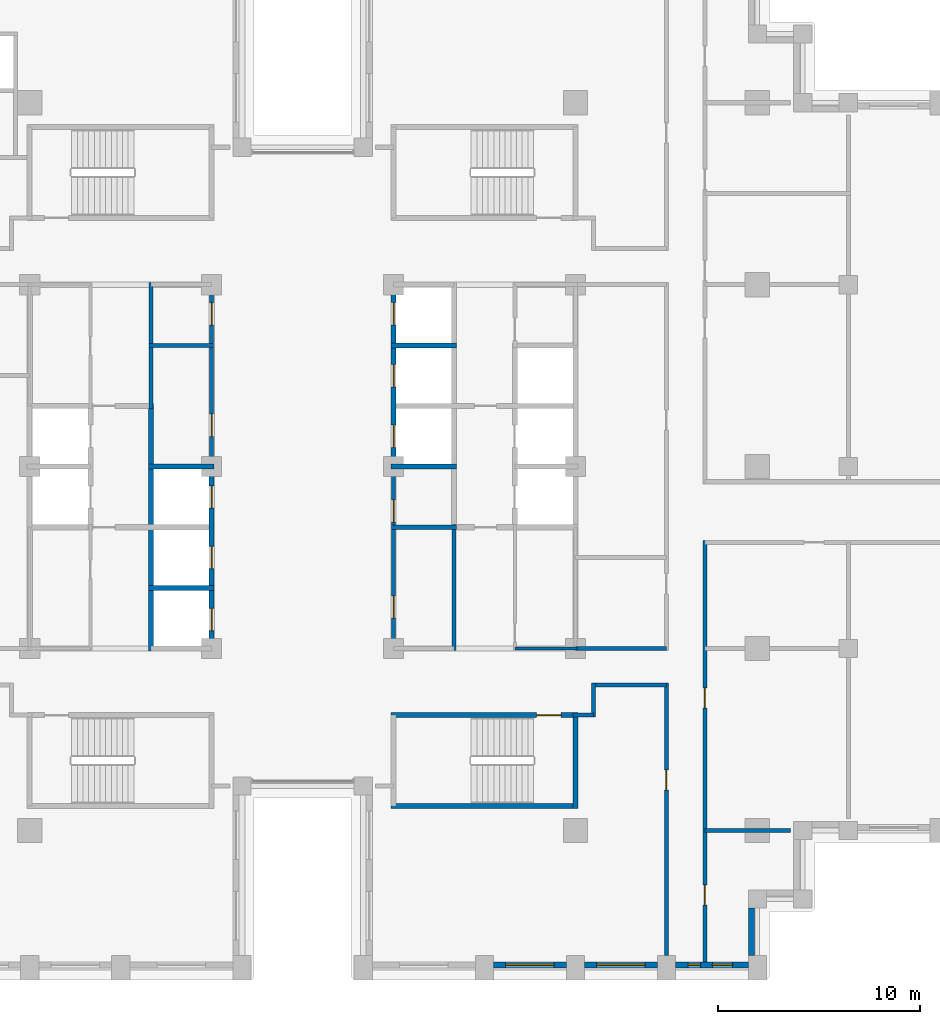
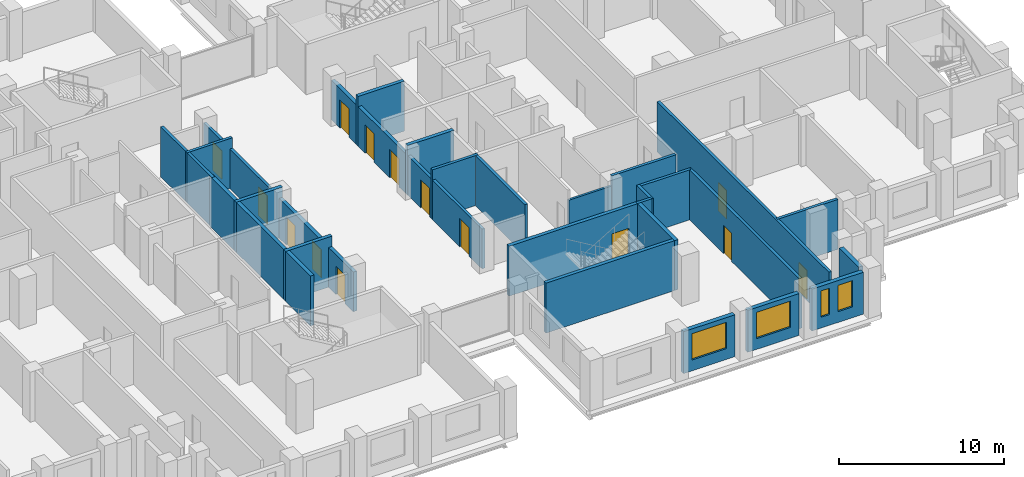
# One storey, part 8 of 15: 28 walls, 14 doors, 4 windows, 18 openings.
"""IFC4 building model written with IfcOpenShell, lengths in metres."""

from ifc_helpers import new_model, si_unit, direction, frame, frame_2d, origin, place, context, subcontext, project, spatial, rectangle, extrude, material, layer, layer_set, type_object, element, fill, save


model = new_model("IFC4")

# Units and contexts
model_context = context("Model", 3, precision=1e-05, world=origin(), true_north=direction((0.0, 1.0)))
body_context = subcontext(model_context, "Body", "Model", "MODEL_VIEW")
ifc_project = project(units=[si_unit("LENGTHUNIT", "METRE"), si_unit("AREAUNIT", "SQUARE_METRE"), si_unit("VOLUMEUNIT", "CUBIC_METRE"), si_unit("PLANEANGLEUNIT", "RADIAN"), si_unit("MASSUNIT", "GRAM", prefix="KILO")], contexts=[model_context])

# Site, building, storey
site_placement = place(None, origin())
site = spatial("IfcSite", under=ifc_project, at=site_placement, CompositionType="ELEMENT")
building_placement = place(site_placement, origin())
building = spatial("IfcBuilding", under=site, at=building_placement, Name="Corbelhall Arena Tower", CompositionType="ELEMENT")
storey_placement = place(building_placement, frame((0.0, 0.0, 92.0)))
storey = spatial("IfcBuildingStorey", under=building, at=storey_placement, Name="L15", CompositionType="ELEMENT", Elevation=92.0)

# Wall, opening, window
ifc_material_1 = material(Name="Precast concrete C40/50 with granite facing", Category="masonry")
ifc_layer_1 = layer(ifc_material_1, 0.300048828125)
ifc_layer_set_1 = layer_set([ifc_layer_1], Name="EV-IW1 Infill panel 300")
wall_type_1 = type_object("IfcWallType", Name="EV-IW1 Infill panel 300", PredefinedType="SOLIDWALL", material=ifc_layer_set_1)
wall_1_placement = place(storey_placement, frame((9.449951171875, -24.64990234375, 0.0), z_axis=(0.0, 0.0, 1.0), x_axis=(1.0, 0.0, 0.0)))
wall_1 = element("IfcWall", 1, at=wall_1_placement, inside=storey, type_object=wall_type_1, Name="Infill panel IW1", PredefinedType="SOLIDWALL", context=body_context, shape_type="SweptSolid", body=[
    extrude(rectangle(XDim=3.60009765625, YDim=0.300048828125, at=frame_2d((1.800048828125, 0.0))), origin(), (0.0, 0.0, 1.0), 3.10009765625),
])
opening_1_placement = place(wall_1_placement, frame((0.60009765625, 0.0, 0.800048828125)))
opening_1 = element("IfcOpeningElement", 2, at=opening_1_placement, cuts=wall_1, Name="Opening WN1", PredefinedType="OPENING", context=body_context, shape_type="SweptSolid", body=[
    extrude(rectangle(XDim=2.39990234375, YDim=1.949951171875, at=frame_2d((1.199951171875, 0.97509765625))), frame((0.0, 0.14990234375, 0.0), z_axis=(0.0, -1.0, 0.0), x_axis=(1.0, 0.0, 0.0)), (0.0, 0.0, 1.0), 0.300048828125),
])
ifc_material_2 = material(Name="Aluminium black anodised", Category="aluminium")
window_type_1 = type_object("IfcWindowType", Name="EV-WN1 Office window", PartitioningType="SINGLE_PANEL", PredefinedType="WINDOW", material=ifc_material_2)
window_1_placement = place(opening_1_placement, origin())
window_1 = element("IfcWindow", 3, at=window_1_placement, inside=storey, type_object=window_type_1, Name="Window WN1", OverallHeight=1.949951171875, OverallWidth=2.39990234375, PartitioningType="SINGLE_PANEL", PredefinedType="WINDOW", context=body_context, shape_type="SweptSolid", body=[
    extrude(rectangle(XDim=2.39990234375, YDim=1.949951171875, at=frame_2d((1.199951171875, 0.97509765625))), frame((0.0, 0.030029296875, 0.0), z_axis=(0.0, -1.0, 0.0), x_axis=(1.0, 0.0, 0.0)), (0.0, 0.0, 1.0), 0.06005859375),
])
fill(opening_1, window_1)

wall_2_placement = place(storey_placement, frame((13.949951171875, -24.64990234375, 0.0), z_axis=(0.0, 0.0, 1.0), x_axis=(1.0, 0.0, 0.0)))
wall_2 = element("IfcWall", 4, at=wall_2_placement, inside=storey, type_object=wall_type_1, Name="Infill panel IW1", PredefinedType="SOLIDWALL", context=body_context, shape_type="SweptSolid", body=[
    extrude(rectangle(XDim=3.60009765625, YDim=0.300048828125, at=frame_2d((1.800048828125, 0.0))), origin(), (0.0, 0.0, 1.0), 3.10009765625),
])
opening_2_placement = place(wall_2_placement, frame((0.60009765625, 0.0, 0.800048828125)))
opening_2 = element("IfcOpeningElement", 5, at=opening_2_placement, cuts=wall_2, Name="Opening WN1", PredefinedType="OPENING", context=body_context, shape_type="SweptSolid", body=[
    extrude(rectangle(XDim=2.39990234375, YDim=1.949951171875, at=frame_2d((1.199951171875, 0.97509765625))), frame((0.0, 0.14990234375, 0.0), z_axis=(0.0, -1.0, 0.0), x_axis=(1.0, 0.0, 0.0)), (0.0, 0.0, 1.0), 0.300048828125),
])
window_2_placement = place(opening_2_placement, origin())
window_2 = element("IfcWindow", 6, at=window_2_placement, inside=storey, type_object=window_type_1, Name="Window WN1", OverallHeight=1.949951171875, OverallWidth=2.39990234375, PartitioningType="SINGLE_PANEL", PredefinedType="WINDOW", context=body_context, shape_type="SweptSolid", body=[
    extrude(rectangle(XDim=2.39990234375, YDim=1.949951171875, at=frame_2d((1.199951171875, 0.97509765625))), frame((0.0, 0.030029296875, 0.0), z_axis=(0.0, -1.0, 0.0), x_axis=(1.0, 0.0, 0.0)), (0.0, 0.0, 1.0), 0.06005859375),
])
fill(opening_2, window_2)

# Wall, openings, windows
wall_3_placement = place(storey_placement, frame((18.449951171875, -24.64990234375, 0.0), z_axis=(0.0, 0.0, 1.0), x_axis=(1.0, 0.0, 0.0)))
wall_3 = element("IfcWall", 7, at=wall_3_placement, inside=storey, type_object=wall_type_1, Name="Infill panel IW1", PredefinedType="SOLIDWALL", context=body_context, shape_type="SweptSolid", body=[
    extrude(rectangle(XDim=3.60009765625, YDim=0.300048828125, at=frame_2d((1.800048828125, 0.0))), origin(), (0.0, 0.0, 1.0), 3.10009765625),
])
opening_3_placement = place(wall_3_placement, frame((0.625, 0.0, 0.800048828125)))
opening_3 = element("IfcOpeningElement", 8, at=opening_3_placement, cuts=wall_3, Name="Opening WN5", PredefinedType="OPENING", context=body_context, shape_type="SweptSolid", body=[
    extrude(rectangle(XDim=0.60009765625, YDim=1.949951171875, at=frame_2d((0.300048828125, 0.97509765625))), frame((0.0, 0.14990234375, 0.0), z_axis=(0.0, -1.0, 0.0), x_axis=(1.0, 0.0, 0.0)), (0.0, 0.0, 1.0), 0.300048828125),
])
opening_4_placement = place(wall_3_placement, frame((1.824951171875, 0.0, 0.800048828125)))
opening_4 = element("IfcOpeningElement", 9, at=opening_4_placement, cuts=wall_3, Name="Opening WN6", PredefinedType="OPENING", context=body_context, shape_type="SweptSolid", body=[
    extrude(rectangle(XDim=1.0, YDim=1.949951171875, at=frame_2d((0.5, 0.97509765625))), frame((0.0, 0.14990234375, 0.0), z_axis=(0.0, -1.0, 0.0), x_axis=(1.0, 0.0, 0.0)), (0.0, 0.0, 1.0), 0.300048828125),
])
window_type_2 = type_object("IfcWindowType", Name="EV-WN5 Office window 600", PartitioningType="SINGLE_PANEL", PredefinedType="WINDOW", material=ifc_material_2)
window_3_placement = place(opening_3_placement, origin())
window_3 = element("IfcWindow", 10, at=window_3_placement, inside=storey, type_object=window_type_2, Name="Window WN5", OverallHeight=1.949951171875, OverallWidth=0.60009765625, PartitioningType="SINGLE_PANEL", PredefinedType="WINDOW", context=body_context, shape_type="SweptSolid", body=[
    extrude(rectangle(XDim=0.60009765625, YDim=1.949951171875, at=frame_2d((0.300048828125, 0.97509765625))), frame((0.0, 0.030029296875, 0.0), z_axis=(0.0, -1.0, 0.0), x_axis=(1.0, 0.0, 0.0)), (0.0, 0.0, 1.0), 0.06005859375),
])
fill(opening_3, window_3)
window_type_3 = type_object("IfcWindowType", Name="EV-WN6 Office window 1000", PartitioningType="SINGLE_PANEL", PredefinedType="WINDOW", material=ifc_material_2)
window_4_placement = place(opening_4_placement, origin())
window_4 = element("IfcWindow", 11, at=window_4_placement, inside=storey, type_object=window_type_3, Name="Window WN6", OverallHeight=1.949951171875, OverallWidth=1.0, PartitioningType="SINGLE_PANEL", PredefinedType="WINDOW", context=body_context, shape_type="SweptSolid", body=[
    extrude(rectangle(XDim=1.0, YDim=1.949951171875, at=frame_2d((0.5, 0.97509765625))), frame((0.0, 0.030029296875, 0.0), z_axis=(0.0, -1.0, 0.0), x_axis=(1.0, 0.0, 0.0)), (0.0, 0.0, 1.0), 0.06005859375),
])
fill(opening_4, window_4)

# Walls
wall_4_placement = place(storey_placement, frame((22.199951171875, -24.199951171875, 0.0), z_axis=(0.0, 0.0, 1.0), x_axis=(0.0, 1.0, 0.0)))
element("IfcWall", 12, at=wall_4_placement, inside=storey, type_object=wall_type_1, Name="Infill panel IW1", PredefinedType="SOLIDWALL", context=body_context, shape_type="SweptSolid", body=[
    extrude(rectangle(XDim=2.349853515625, YDim=0.300048828125, at=frame_2d((1.1748046875, 0.0))), origin(), (0.0, 0.0, 1.0), 3.10009765625),
])
ifc_material_3 = material(Name="Gypsum board on steel stud, acoustic", Category="steel")
ifc_layer_2 = layer(ifc_material_3, 0.199951171875)
ifc_layer_set_2 = layer_set([ifc_layer_2], Name="IN-W-DM200")
wall_type_2 = type_object("IfcWallType", Name="IN-W-DM200", PredefinedType="PARTITIONING", material=ifc_layer_set_2)
wall_5_placement = place(storey_placement, frame((13.5, -9.0, 0.0), z_axis=(0.0, 0.0, 1.0), x_axis=(1.0, 0.0, 0.0)))
element("IfcWall", 13, at=wall_5_placement, inside=storey, type_object=wall_type_2, Name="Partition 037", PredefinedType="PARTITIONING", context=body_context, shape_type="SweptSolid", body=[
    extrude(rectangle(XDim=4.5, YDim=0.199951171875, at=frame_2d((2.25, 0.0))), origin(), (0.0, 0.0, 1.0), 3.699951171875),
])
wall_6_placement = place(storey_placement, frame((14.39990234375, -12.300048828125, 0.0), z_axis=(0.0, 0.0, 1.0), x_axis=(-1.0, 0.0, 0.0)))
element("IfcWall", 14, at=wall_6_placement, inside=storey, type_object=wall_type_2, Name="Partition 039", PredefinedType="PARTITIONING", context=body_context, shape_type="SweptSolid", body=[
    extrude(rectangle(XDim=1.02490234375, YDim=0.199951171875, at=frame_2d((0.512451171875, 0.0))), origin(), (0.0, 0.0, 1.0), 3.699951171875),
])
wall_7_placement = place(storey_placement, frame((14.39990234375, -10.699951171875, 0.0), z_axis=(0.0, 0.0, 1.0), x_axis=(0.0, -1.0, 0.0)))
element("IfcWall", 15, at=wall_7_placement, inside=storey, type_object=wall_type_2, Name="Partition 040", PredefinedType="PARTITIONING", context=body_context, shape_type="SweptSolid", body=[
    extrude(rectangle(XDim=1.699951171875, YDim=0.199951171875, at=frame_2d((0.85009765625, 0.0))), origin(), (0.0, 0.0, 1.0), 3.699951171875),
])

# Wall, opening, door
wall_8_placement = place(storey_placement, frame((18.0, -24.199951171875, 0.0), z_axis=(0.0, 0.0, 1.0), x_axis=(0.0, 1.0, 0.0)))
wall_8 = element("IfcWall", 16, at=wall_8_placement, inside=storey, type_object=wall_type_2, Name="Partition 044", PredefinedType="PARTITIONING", context=body_context, shape_type="SweptSolid", body=[
    extrude(rectangle(XDim=13.5, YDim=0.199951171875, at=frame_2d((6.75, 0.0))), origin(), (0.0, 0.0, 1.0), 3.699951171875),
])
opening_5_placement = place(wall_8_placement, frame((8.199951171875, 0.0, 0.0)))
opening_5 = element("IfcOpeningElement", 17, at=opening_5_placement, cuts=wall_8, Name="Opening 03028", PredefinedType="OPENING", context=body_context, shape_type="SweptSolid", body=[
    extrude(rectangle(XDim=1.0, YDim=2.10009765625, at=frame_2d((0.5, 1.050048828125))), frame((0.0, 0.10009765625, 0.0), z_axis=(0.0, -1.0, 0.0), x_axis=(1.0, 0.0, 0.0)), (0.0, 0.0, 1.0), 0.199951171875),
])
ifc_material_4 = material(Name="Steel door set", Category="steel")
door_type_1 = type_object("IfcDoorType", Name="IN-D-SW100", OperationType="NOTDEFINED", PredefinedType="DOOR", material=ifc_material_4)
door_1_placement = place(opening_5_placement, origin())
door_1 = element("IfcDoor", 18, at=door_1_placement, inside=storey, type_object=door_type_1, Name="Door 028", OperationType="SINGLE_SWING_LEFT", OverallHeight=2.10009765625, OverallWidth=1.0, PredefinedType="DOOR", context=body_context, shape_type="SweptSolid", body=[
    extrude(rectangle(XDim=1.0, YDim=2.10009765625, at=frame_2d((0.5, 1.050048828125))), frame((0.0, 0.02490234375, 0.0), z_axis=(0.0, -1.0, 0.0), x_axis=(1.0, 0.0, 0.0)), (0.0, 0.0, 1.0), 0.050048828125),
])
fill(opening_5, door_1)

# Walls
wall_9_placement = place(storey_placement, frame((18.0, -10.800048828125, 0.0), z_axis=(0.0, 0.0, 1.0), x_axis=(-1.0, 0.0, 0.0)))
element("IfcWall", 19, at=wall_9_placement, inside=storey, type_object=wall_type_2, Name="Partition 045", PredefinedType="PARTITIONING", context=body_context, shape_type="SweptSolid", body=[
    extrude(rectangle(XDim=3.60009765625, YDim=0.199951171875, at=frame_2d((1.800048828125, 0.0))), origin(), (0.0, 0.0, 1.0), 3.699951171875),
])
wall_10_placement = place(storey_placement, frame((19.89990234375, -18.0, 0.0), z_axis=(0.0, 0.0, 1.0), x_axis=(1.0, 0.0, 0.0)))
element("IfcWall", 20, at=wall_10_placement, inside=storey, type_object=wall_type_2, Name="Partition 048", PredefinedType="PARTITIONING", context=body_context, shape_type="SweptSolid", body=[
    extrude(rectangle(XDim=4.25, YDim=0.199951171875, at=frame_2d((2.125, 0.0))), origin(), (0.0, 0.0, 1.0), 3.699951171875),
])

# Wall, openings, doors
wall_11_placement = place(storey_placement, frame((19.89990234375, -3.64990234375, 0.0), z_axis=(0.0, 0.0, 1.0), x_axis=(0.0, -1.0, 0.0)))
wall_11 = element("IfcWall", 21, at=wall_11_placement, inside=storey, type_object=wall_type_2, Name="Partition 049", PredefinedType="PARTITIONING", context=body_context, shape_type="SweptSolid", body=[
    extrude(rectangle(XDim=20.85009765625, YDim=0.199951171875, at=frame_2d((10.425048828125, 0.0))), origin(), (0.0, 0.0, 1.0), 3.699951171875),
])
opening_6_placement = place(wall_11_placement, frame((17.050048828125, 0.0, 0.0)))
opening_6 = element("IfcOpeningElement", 22, at=opening_6_placement, cuts=wall_11, Name="Opening 03038", PredefinedType="OPENING", context=body_context, shape_type="SweptSolid", body=[
    extrude(rectangle(XDim=1.0, YDim=2.10009765625, at=frame_2d((0.5, 1.050048828125))), frame((0.0, 0.10009765625, 0.0), z_axis=(0.0, -1.0, 0.0), x_axis=(1.0, 0.0, 0.0)), (0.0, 0.0, 1.0), 0.199951171875),
])
opening_7_placement = place(wall_11_placement, frame((7.300048828125, 0.0, 0.0)))
opening_7 = element("IfcOpeningElement", 23, at=opening_7_placement, cuts=wall_11, Name="Opening 03039", PredefinedType="OPENING", context=body_context, shape_type="SweptSolid", body=[
    extrude(rectangle(XDim=1.0, YDim=2.10009765625, at=frame_2d((0.5, 1.050048828125))), frame((0.0, 0.10009765625, 0.0), z_axis=(0.0, -1.0, 0.0), x_axis=(1.0, 0.0, 0.0)), (0.0, 0.0, 1.0), 0.199951171875),
])
door_2_placement = place(opening_6_placement, origin())
door_2 = element("IfcDoor", 24, at=door_2_placement, inside=storey, type_object=door_type_1, Name="Door 038", OperationType="SINGLE_SWING_LEFT", OverallHeight=2.10009765625, OverallWidth=1.0, PredefinedType="DOOR", context=body_context, shape_type="SweptSolid", body=[
    extrude(rectangle(XDim=1.0, YDim=2.10009765625, at=frame_2d((0.5, 1.050048828125))), frame((0.0, 0.02490234375, 0.0), z_axis=(0.0, -1.0, 0.0), x_axis=(1.0, 0.0, 0.0)), (0.0, 0.0, 1.0), 0.050048828125),
])
fill(opening_6, door_2)
door_3_placement = place(opening_7_placement, origin())
door_3 = element("IfcDoor", 25, at=door_3_placement, inside=storey, type_object=door_type_1, Name="Door 039", OperationType="SINGLE_SWING_RIGHT", OverallHeight=2.10009765625, OverallWidth=1.0, PredefinedType="DOOR", context=body_context, shape_type="SweptSolid", body=[
    extrude(rectangle(XDim=1.0, YDim=2.10009765625, at=frame_2d((0.5, 1.050048828125))), frame((0.0, 0.02490234375, 0.0), z_axis=(0.0, -1.0, 0.0), x_axis=(1.0, 0.0, 0.0)), (0.0, 0.0, 1.0), 0.050048828125),
])
fill(opening_7, door_3)

# Walls
ifc_material_5 = material(Name="Concrete block wall", Category="concrete")
ifc_layer_3 = layer(ifc_material_5, 0.199951171875)
ifc_layer_set_3 = layer_set([ifc_layer_3], Name="IN-W-RS200")
wall_type_3 = type_object("IfcWallType", Name="IN-W-RS200", PredefinedType="SOLIDWALL", material=ifc_layer_set_3)
wall_12_placement = place(storey_placement, frame((-7.60009765625, 6.0, 0.0), z_axis=(0.0, 0.0, 1.0), x_axis=(1.0, 0.0, 0.0)))
element("IfcWall", 26, at=wall_12_placement, inside=storey, type_object=wall_type_3, Name="Partition 063", PredefinedType="SOLIDWALL", context=body_context, shape_type="SweptSolid", body=[
    extrude(rectangle(XDim=3.2001953125, YDim=0.199951171875, at=frame_2d((1.60009765625, 0.0))), origin(), (0.0, 0.0, 1.0), 3.699951171875),
])
wall_13_placement = place(storey_placement, frame((-7.5, 2.875, 0.0), z_axis=(0.0, 0.0, 1.0), x_axis=(0.0, 1.0, 0.0)))
element("IfcWall", 27, at=wall_13_placement, inside=storey, type_object=wall_type_3, Name="Partition 064", PredefinedType="SOLIDWALL", context=body_context, shape_type="SweptSolid", body=[
    extrude(rectangle(XDim=6.22509765625, YDim=0.199951171875, at=frame_2d((3.112548828125, 0.0))), origin(), (0.0, 0.0, 1.0), 3.699951171875),
])
wall_14_placement = place(storey_placement, frame((4.39990234375, -3.0, 0.0), z_axis=(0.0, 0.0, 1.0), x_axis=(1.0, 0.0, 0.0)))
element("IfcWall", 28, at=wall_14_placement, inside=storey, type_object=wall_type_3, Name="Partition 067", PredefinedType="SOLIDWALL", context=body_context, shape_type="SweptSolid", body=[
    extrude(rectangle(XDim=3.22509765625, YDim=0.199951171875, at=frame_2d((1.612548828125, 0.0))), origin(), (0.0, 0.0, 1.0), 3.699951171875),
])
wall_15_placement = place(storey_placement, frame((7.5, -2.875, 0.0), z_axis=(0.0, 0.0, 1.0), x_axis=(0.0, -1.0, 0.0)))
element("IfcWall", 29, at=wall_15_placement, inside=storey, type_object=wall_type_3, Name="Partition 070", PredefinedType="SOLIDWALL", context=body_context, shape_type="SweptSolid", body=[
    extrude(rectangle(XDim=6.22509765625, YDim=0.199951171875, at=frame_2d((3.112548828125, 0.0))), origin(), (0.0, 0.0, 1.0), 3.699951171875),
])

# Wall, openings, doors
ifc_layer_4 = layer(ifc_material_5, 0.199951171875)
ifc_layer_set_4 = layer_set([ifc_layer_4], Name="IN-W-RS200 under beam 762 mm")
wall_type_4 = type_object("IfcWallType", Name="IN-W-RS200 under beam 762 mm", PredefinedType="SOLIDWALL", material=ifc_layer_set_4)
wall_16_placement = place(storey_placement, frame((-4.5, 9.10009765625, 0.0), z_axis=(0.0, 0.0, 1.0), x_axis=(0.0, -1.0, 0.0)))
wall_16 = element("IfcWall", 30, at=wall_16_placement, inside=storey, type_object=wall_type_4, Name="Partition 066", PredefinedType="SOLIDWALL", context=body_context, shape_type="SweptSolid", body=[
    extrude(rectangle(XDim=9.10009765625, YDim=0.199951171875, at=frame_2d((4.550048828125, 0.0))), origin(), (0.0, 0.0, 1.0), 2.93798828125),
])
opening_8_placement = place(wall_16_placement, frame((6.5, 0.0, 0.0)))
opening_8 = element("IfcOpeningElement", 31, at=opening_8_placement, cuts=wall_16, Name="Opening 03001", PredefinedType="OPENING", context=body_context, shape_type="SweptSolid", body=[
    extrude(rectangle(XDim=1.10009765625, YDim=2.10009765625, at=frame_2d((0.550048828125, 1.050048828125))), frame((0.0, 0.10009765625, 0.0), z_axis=(0.0, -1.0, 0.0), x_axis=(1.0, 0.0, 0.0)), (0.0, 0.0, 1.0), 0.199951171875),
])
opening_9_placement = place(wall_16_placement, frame((1.0, 0.0, 0.0)))
opening_9 = element("IfcOpeningElement", 32, at=opening_9_placement, cuts=wall_16, Name="Opening 03002", PredefinedType="OPENING", context=body_context, shape_type="SweptSolid", body=[
    extrude(rectangle(XDim=1.10009765625, YDim=2.10009765625, at=frame_2d((0.550048828125, 1.050048828125))), frame((0.0, 0.10009765625, 0.0), z_axis=(0.0, -1.0, 0.0), x_axis=(1.0, 0.0, 0.0)), (0.0, 0.0, 1.0), 0.199951171875),
])
door_type_2 = type_object("IfcDoorType", Name="IN-D-FD110", OperationType="NOTDEFINED", PredefinedType="DOOR", material=ifc_material_4)
door_4_placement = place(opening_8_placement, origin())
door_4 = element("IfcDoor", 33, at=door_4_placement, inside=storey, type_object=door_type_2, Name="Door 001", OperationType="SINGLE_SWING_RIGHT", OverallHeight=2.10009765625, OverallWidth=1.10009765625, PredefinedType="DOOR", context=body_context, shape_type="SweptSolid", body=[
    extrude(rectangle(XDim=1.10009765625, YDim=2.10009765625, at=frame_2d((0.550048828125, 1.050048828125))), frame((0.0, 0.02490234375, 0.0), z_axis=(0.0, -1.0, 0.0), x_axis=(1.0, 0.0, 0.0)), (0.0, 0.0, 1.0), 0.050048828125),
])
fill(opening_8, door_4)
door_5_placement = place(opening_9_placement, origin())
door_5 = element("IfcDoor", 34, at=door_5_placement, inside=storey, type_object=door_type_2, Name="Door 002", OperationType="SINGLE_SWING_LEFT", OverallHeight=2.10009765625, OverallWidth=1.10009765625, PredefinedType="DOOR", context=body_context, shape_type="SweptSolid", body=[
    extrude(rectangle(XDim=1.10009765625, YDim=2.10009765625, at=frame_2d((0.550048828125, 1.050048828125))), frame((0.0, 0.02490234375, 0.0), z_axis=(0.0, -1.0, 0.0), x_axis=(1.0, 0.0, 0.0)), (0.0, 0.0, 1.0), 0.050048828125),
])
fill(opening_9, door_5)

wall_17_placement = place(storey_placement, frame((4.5, -9.10009765625, 0.0), z_axis=(0.0, 0.0, 1.0), x_axis=(0.0, 1.0, 0.0)))
wall_17 = element("IfcWall", 35, at=wall_17_placement, inside=storey, type_object=wall_type_4, Name="Partition 068", PredefinedType="SOLIDWALL", context=body_context, shape_type="SweptSolid", body=[
    extrude(rectangle(XDim=9.10009765625, YDim=0.199951171875, at=frame_2d((4.550048828125, 0.0))), origin(), (0.0, 0.0, 1.0), 2.93798828125),
])
opening_10_placement = place(wall_17_placement, frame((1.60009765625, 0.0, 0.0)))
opening_10 = element("IfcOpeningElement", 36, at=opening_10_placement, cuts=wall_17, Name="Opening 03007", PredefinedType="OPENING", context=body_context, shape_type="SweptSolid", body=[
    extrude(rectangle(XDim=1.10009765625, YDim=2.10009765625, at=frame_2d((0.550048828125, 1.050048828125))), frame((0.0, 0.10009765625, 0.0), z_axis=(0.0, -1.0, 0.0), x_axis=(1.0, 0.0, 0.0)), (0.0, 0.0, 1.0), 0.199951171875),
])
opening_11_placement = place(wall_17_placement, frame((6.35009765625, 0.0, 0.0)))
opening_11 = element("IfcOpeningElement", 37, at=opening_11_placement, cuts=wall_17, Name="Opening 03008", PredefinedType="OPENING", context=body_context, shape_type="SweptSolid", body=[
    extrude(rectangle(XDim=1.10009765625, YDim=2.10009765625, at=frame_2d((0.550048828125, 1.050048828125))), frame((0.0, 0.10009765625, 0.0), z_axis=(0.0, -1.0, 0.0), x_axis=(1.0, 0.0, 0.0)), (0.0, 0.0, 1.0), 0.199951171875),
])
door_6_placement = place(opening_10_placement, origin())
door_6 = element("IfcDoor", 38, at=door_6_placement, inside=storey, type_object=door_type_2, Name="Door 007", OperationType="SINGLE_SWING_RIGHT", OverallHeight=2.10009765625, OverallWidth=1.10009765625, PredefinedType="DOOR", context=body_context, shape_type="SweptSolid", body=[
    extrude(rectangle(XDim=1.10009765625, YDim=2.10009765625, at=frame_2d((0.550048828125, 1.050048828125))), frame((0.0, 0.02490234375, 0.0), z_axis=(0.0, -1.0, 0.0), x_axis=(1.0, 0.0, 0.0)), (0.0, 0.0, 1.0), 0.050048828125),
])
fill(opening_10, door_6)
door_7_placement = place(opening_11_placement, origin())
door_7 = element("IfcDoor", 39, at=door_7_placement, inside=storey, type_object=door_type_2, Name="Door 008", OperationType="SINGLE_SWING_LEFT", OverallHeight=2.10009765625, OverallWidth=1.10009765625, PredefinedType="DOOR", context=body_context, shape_type="SweptSolid", body=[
    extrude(rectangle(XDim=1.10009765625, YDim=2.10009765625, at=frame_2d((0.550048828125, 1.050048828125))), frame((0.0, 0.02490234375, 0.0), z_axis=(0.0, -1.0, 0.0), x_axis=(1.0, 0.0, 0.0)), (0.0, 0.0, 1.0), 0.050048828125),
])
fill(opening_11, door_7)

# Walls
ifc_material_6 = material(Name="Concrete C40/50", Category="concrete")
ifc_layer_5 = layer(ifc_material_6, 0.25)
ifc_layer_set_5 = layer_set([ifc_layer_5], Name="IN-W-SH250")
wall_type_5 = type_object("IfcWallType", Name="IN-W-SH250", PredefinedType="SOLIDWALL", material=ifc_layer_set_5)
for number, where, z_axis, x_axis, name in (
    (40, (-7.625, -6.0, 0.0), (0.0, 0.0, 1.0), (1.0, 0.0, 0.0), "Shaft wall 079"),
    (41, (-7.625, 0.0, 0.0), (0.0, 0.0, 1.0), (1.0, 0.0, 0.0), "Shaft wall 080"),
):
    element("IfcWall", number, at=place(storey_placement, frame(where, z_axis=z_axis, x_axis=x_axis)), inside=storey, type_object=wall_type_5, Name=name, PredefinedType="SOLIDWALL", context=body_context, shape_type="SweptSolid", body=[
        extrude(rectangle(XDim=3.25, YDim=0.25, at=frame_2d((1.625, 0.0))), origin(), (0.0, 0.0, 1.0), 3.699951171875),
    ])
wall_18_placement = place(storey_placement, frame((-7.5, -9.125, 0.0), z_axis=(0.0, 0.0, 1.0), x_axis=(0.0, 1.0, 0.0)))
element("IfcWall", 42, at=wall_18_placement, inside=storey, type_object=wall_type_5, Name="Shaft wall 081", PredefinedType="SOLIDWALL", context=body_context, shape_type="SweptSolid", body=[
    extrude(rectangle(XDim=12.25, YDim=0.25, at=frame_2d((6.125, 0.0))), origin(), (0.0, 0.0, 1.0), 3.699951171875),
])
for number, where, z_axis, x_axis, name in (
    (43, (4.375, 0.0, 0.0), (0.0, 0.0, 1.0), (1.0, 0.0, 0.0), "Shaft wall 084"),
    (44, (4.375, 6.0, 0.0), (0.0, 0.0, 1.0), (1.0, 0.0, 0.0), "Shaft wall 086"),
):
    element("IfcWall", number, at=place(storey_placement, frame(where, z_axis=z_axis, x_axis=x_axis)), inside=storey, type_object=wall_type_5, Name=name, PredefinedType="SOLIDWALL", context=body_context, shape_type="SweptSolid", body=[
        extrude(rectangle(XDim=3.25, YDim=0.25, at=frame_2d((1.625, 0.0))), origin(), (0.0, 0.0, 1.0), 3.699951171875),
    ])

# Wall, openings, doors
ifc_layer_6 = layer(ifc_material_6, 0.25)
ifc_layer_set_6 = layer_set([ifc_layer_6], Name="IN-W-SH250 under beam 762 mm")
wall_type_6 = type_object("IfcWallType", Name="IN-W-SH250 under beam 762 mm", PredefinedType="SOLIDWALL", material=ifc_layer_set_6)
wall_19_placement = place(storey_placement, frame((-4.5, 0.0, 0.0), z_axis=(0.0, 0.0, 1.0), x_axis=(0.0, -1.0, 0.0)))
wall_19 = element("IfcWall", 45, at=wall_19_placement, inside=storey, type_object=wall_type_6, Name="Shaft wall 083", PredefinedType="SOLIDWALL", context=body_context, shape_type="SweptSolid", body=[
    extrude(rectangle(XDim=9.125, YDim=0.25, at=frame_2d((4.5625, 0.0))), origin(), (0.0, 0.0, 1.0), 2.93798828125),
])
opening_12_placement = place(wall_19_placement, frame((7.012451171875, 0.0, 0.0)))
opening_12 = element("IfcOpeningElement", 46, at=opening_12_placement, cuts=wall_19, Name="Opening LD", PredefinedType="OPENING", context=body_context, shape_type="SweptSolid", body=[
    extrude(rectangle(XDim=1.10009765625, YDim=2.10009765625, at=frame_2d((0.550048828125, 1.050048828125))), frame((0.0, 0.125, 0.0), z_axis=(0.0, -1.0, 0.0), x_axis=(1.0, 0.0, 0.0)), (0.0, 0.0, 1.0), 0.25),
])
opening_13_placement = place(wall_19_placement, frame((3.949951171875, 0.0, 0.0)))
opening_13 = element("IfcOpeningElement", 47, at=opening_13_placement, cuts=wall_19, Name="Opening LD", PredefinedType="OPENING", context=body_context, shape_type="SweptSolid", body=[
    extrude(rectangle(XDim=1.10009765625, YDim=2.10009765625, at=frame_2d((0.550048828125, 1.050048828125))), frame((0.0, 0.125, 0.0), z_axis=(0.0, -1.0, 0.0), x_axis=(1.0, 0.0, 0.0)), (0.0, 0.0, 1.0), 0.25),
])
opening_14_placement = place(wall_19_placement, frame((0.949951171875, 0.0, 0.0)))
opening_14 = element("IfcOpeningElement", 48, at=opening_14_placement, cuts=wall_19, Name="Opening LD", PredefinedType="OPENING", context=body_context, shape_type="SweptSolid", body=[
    extrude(rectangle(XDim=1.10009765625, YDim=2.10009765625, at=frame_2d((0.550048828125, 1.050048828125))), frame((0.0, 0.125, 0.0), z_axis=(0.0, -1.0, 0.0), x_axis=(1.0, 0.0, 0.0)), (0.0, 0.0, 1.0), 0.25),
])
door_type_3 = type_object("IfcDoorType", Name="IN-D-LD110", OperationType="NOTDEFINED", PredefinedType="DOOR", material=ifc_material_4)
door_8_placement = place(opening_12_placement, origin())
door_8 = element("IfcDoor", 49, at=door_8_placement, inside=storey, type_object=door_type_3, Name="Landing door W1", OperationType="SLIDING_TO_LEFT", OverallHeight=2.10009765625, OverallWidth=1.10009765625, PredefinedType="DOOR", context=body_context, shape_type="SweptSolid", body=[
    extrude(rectangle(XDim=1.10009765625, YDim=2.10009765625, at=frame_2d((0.550048828125, 1.050048828125))), frame((0.0, 0.02490234375, 0.0), z_axis=(0.0, -1.0, 0.0), x_axis=(1.0, 0.0, 0.0)), (0.0, 0.0, 1.0), 0.050048828125),
])
fill(opening_12, door_8)
door_9_placement = place(opening_13_placement, origin())
door_9 = element("IfcDoor", 50, at=door_9_placement, inside=storey, type_object=door_type_3, Name="Landing door W2", OperationType="SLIDING_TO_LEFT", OverallHeight=2.10009765625, OverallWidth=1.10009765625, PredefinedType="DOOR", context=body_context, shape_type="SweptSolid", body=[
    extrude(rectangle(XDim=1.10009765625, YDim=2.10009765625, at=frame_2d((0.550048828125, 1.050048828125))), frame((0.0, 0.02490234375, 0.0), z_axis=(0.0, -1.0, 0.0), x_axis=(1.0, 0.0, 0.0)), (0.0, 0.0, 1.0), 0.050048828125),
])
fill(opening_13, door_9)
door_10_placement = place(opening_14_placement, origin())
door_10 = element("IfcDoor", 51, at=door_10_placement, inside=storey, type_object=door_type_3, Name="Landing door W3", OperationType="SLIDING_TO_LEFT", OverallHeight=2.10009765625, OverallWidth=1.10009765625, PredefinedType="DOOR", context=body_context, shape_type="SweptSolid", body=[
    extrude(rectangle(XDim=1.10009765625, YDim=2.10009765625, at=frame_2d((0.550048828125, 1.050048828125))), frame((0.0, 0.02490234375, 0.0), z_axis=(0.0, -1.0, 0.0), x_axis=(1.0, 0.0, 0.0)), (0.0, 0.0, 1.0), 0.050048828125),
])
fill(opening_14, door_10)

wall_20_placement = place(storey_placement, frame((4.5, 0.0, 0.0), z_axis=(0.0, 0.0, 1.0), x_axis=(0.0, 1.0, 0.0)))
wall_20 = element("IfcWall", 52, at=wall_20_placement, inside=storey, type_object=wall_type_6, Name="Shaft wall 087", PredefinedType="SOLIDWALL", context=body_context, shape_type="SweptSolid", body=[
    extrude(rectangle(XDim=9.125, YDim=0.25, at=frame_2d((4.5625, 0.0))), origin(), (0.0, 0.0, 1.0), 2.93798828125),
])
opening_15_placement = place(wall_20_placement, frame((0.949951171875, 0.0, 0.0)))
opening_15 = element("IfcOpeningElement", 53, at=opening_15_placement, cuts=wall_20, Name="Opening LD", PredefinedType="OPENING", context=body_context, shape_type="SweptSolid", body=[
    extrude(rectangle(XDim=1.10009765625, YDim=2.10009765625, at=frame_2d((0.550048828125, 1.050048828125))), frame((0.0, 0.125, 0.0), z_axis=(0.0, -1.0, 0.0), x_axis=(1.0, 0.0, 0.0)), (0.0, 0.0, 1.0), 0.25),
])
opening_16_placement = place(wall_20_placement, frame((3.949951171875, 0.0, 0.0)))
opening_16 = element("IfcOpeningElement", 54, at=opening_16_placement, cuts=wall_20, Name="Opening LD", PredefinedType="OPENING", context=body_context, shape_type="SweptSolid", body=[
    extrude(rectangle(XDim=1.10009765625, YDim=2.10009765625, at=frame_2d((0.550048828125, 1.050048828125))), frame((0.0, 0.125, 0.0), z_axis=(0.0, -1.0, 0.0), x_axis=(1.0, 0.0, 0.0)), (0.0, 0.0, 1.0), 0.25),
])
opening_17_placement = place(wall_20_placement, frame((7.012451171875, 0.0, 0.0)))
opening_17 = element("IfcOpeningElement", 55, at=opening_17_placement, cuts=wall_20, Name="Opening LD", PredefinedType="OPENING", context=body_context, shape_type="SweptSolid", body=[
    extrude(rectangle(XDim=1.10009765625, YDim=2.10009765625, at=frame_2d((0.550048828125, 1.050048828125))), frame((0.0, 0.125, 0.0), z_axis=(0.0, -1.0, 0.0), x_axis=(1.0, 0.0, 0.0)), (0.0, 0.0, 1.0), 0.25),
])
door_11_placement = place(opening_15_placement, origin())
door_11 = element("IfcDoor", 56, at=door_11_placement, inside=storey, type_object=door_type_3, Name="Landing door E4", OperationType="SLIDING_TO_LEFT", OverallHeight=2.10009765625, OverallWidth=1.10009765625, PredefinedType="DOOR", context=body_context, shape_type="SweptSolid", body=[
    extrude(rectangle(XDim=1.10009765625, YDim=2.10009765625, at=frame_2d((0.550048828125, 1.050048828125))), frame((0.0, 0.02490234375, 0.0), z_axis=(0.0, -1.0, 0.0), x_axis=(1.0, 0.0, 0.0)), (0.0, 0.0, 1.0), 0.050048828125),
])
fill(opening_15, door_11)
door_12_placement = place(opening_16_placement, origin())
door_12 = element("IfcDoor", 57, at=door_12_placement, inside=storey, type_object=door_type_3, Name="Landing door E5", OperationType="SLIDING_TO_LEFT", OverallHeight=2.10009765625, OverallWidth=1.10009765625, PredefinedType="DOOR", context=body_context, shape_type="SweptSolid", body=[
    extrude(rectangle(XDim=1.10009765625, YDim=2.10009765625, at=frame_2d((0.550048828125, 1.050048828125))), frame((0.0, 0.02490234375, 0.0), z_axis=(0.0, -1.0, 0.0), x_axis=(1.0, 0.0, 0.0)), (0.0, 0.0, 1.0), 0.050048828125),
])
fill(opening_16, door_12)
door_13_placement = place(opening_17_placement, origin())
door_13 = element("IfcDoor", 58, at=door_13_placement, inside=storey, type_object=door_type_3, Name="Landing door E6", OperationType="SLIDING_TO_LEFT", OverallHeight=2.10009765625, OverallWidth=1.10009765625, PredefinedType="DOOR", context=body_context, shape_type="SweptSolid", body=[
    extrude(rectangle(XDim=1.10009765625, YDim=2.10009765625, at=frame_2d((0.550048828125, 1.050048828125))), frame((0.0, 0.02490234375, 0.0), z_axis=(0.0, -1.0, 0.0), x_axis=(1.0, 0.0, 0.0)), (0.0, 0.0, 1.0), 0.050048828125),
])
fill(opening_17, door_13)

# Walls
ifc_layer_7 = layer(ifc_material_6, 0.25)
ifc_layer_set_7 = layer_set([ifc_layer_7], Name="IN-W-ST250")
wall_type_7 = type_object("IfcWallType", Name="IN-W-ST250", PredefinedType="SOLIDWALL", material=ifc_layer_set_7)
wall_21_placement = place(storey_placement, frame((13.5, -16.800048828125, 0.0), z_axis=(0.0, 0.0, 1.0), x_axis=(-1.0, 0.0, 0.0)))
element("IfcWall", 59, at=wall_21_placement, inside=storey, type_object=wall_type_7, Name="Shaft wall 113", PredefinedType="SOLIDWALL", context=body_context, shape_type="SweptSolid", body=[
    extrude(rectangle(XDim=9.125, YDim=0.25, at=frame_2d((4.5625, 0.0))), origin(), (0.0, 0.0, 1.0), 3.699951171875),
])
wall_22_placement = place(storey_placement, frame((13.5, -12.300048828125, 0.0), z_axis=(0.0, 0.0, 1.0), x_axis=(0.0, -1.0, 0.0)))
element("IfcWall", 60, at=wall_22_placement, inside=storey, type_object=wall_type_7, Name="Shaft wall 114", PredefinedType="SOLIDWALL", context=body_context, shape_type="SweptSolid", body=[
    extrude(rectangle(XDim=4.625, YDim=0.25, at=frame_2d((2.3125, 0.0))), origin(), (0.0, 0.0, 1.0), 3.699951171875),
])

# Wall, opening, door
wall_23_placement = place(storey_placement, frame((13.625, -12.300048828125, 0.0), z_axis=(0.0, 0.0, 1.0), x_axis=(-1.0, 0.0, 0.0)))
wall_23 = element("IfcWall", 61, at=wall_23_placement, inside=storey, type_object=wall_type_7, Name="Shaft wall 116", PredefinedType="SOLIDWALL", context=body_context, shape_type="SweptSolid", body=[
    extrude(rectangle(XDim=9.25, YDim=0.25, at=frame_2d((4.625, 0.0))), origin(), (0.0, 0.0, 1.0), 3.699951171875),
])
opening_18_placement = place(wall_23_placement, frame((0.85009765625, 0.0, 0.0)))
opening_18 = element("IfcOpeningElement", 62, at=opening_18_placement, cuts=wall_23, Name="Opening 03016", PredefinedType="OPENING", context=body_context, shape_type="SweptSolid", body=[
    extrude(rectangle(XDim=1.199951171875, YDim=2.10009765625, at=frame_2d((0.60009765625, 1.050048828125))), frame((0.0, 0.125, 0.0), z_axis=(0.0, -1.0, 0.0), x_axis=(1.0, 0.0, 0.0)), (0.0, 0.0, 1.0), 0.25),
])
door_type_4 = type_object("IfcDoorType", Name="IN-D-ST120", OperationType="NOTDEFINED", PredefinedType="DOOR", material=ifc_material_4)
door_14_placement = place(opening_18_placement, origin())
door_14 = element("IfcDoor", 63, at=door_14_placement, inside=storey, type_object=door_type_4, Name="Door 016", OperationType="SINGLE_SWING_LEFT", OverallHeight=2.10009765625, OverallWidth=1.199951171875, PredefinedType="DOOR", context=body_context, shape_type="SweptSolid", body=[
    extrude(rectangle(XDim=1.199951171875, YDim=2.10009765625, at=frame_2d((0.60009765625, 1.050048828125))), frame((0.0, 0.02490234375, 0.0), z_axis=(0.0, -1.0, 0.0), x_axis=(1.0, 0.0, 0.0)), (0.0, 0.0, 1.0), 0.050048828125),
])
fill(opening_18, door_14)

# Wall
ifc_material_7 = material(Name="Gypsum board on steel stud, moisture resistant", Category="steel")
ifc_layer_8 = layer(ifc_material_7, 0.14990234375)
ifc_layer_set_8 = layer_set([ifc_layer_8], Name="IN-W-WC150 under beam 762 mm")
wall_type_8 = type_object("IfcWallType", Name="IN-W-WC150 under beam 762 mm", PredefinedType="PARTITIONING", material=ifc_layer_set_8)
wall_24_placement = place(storey_placement, frame((13.574951171875, -9.0, 0.0), z_axis=(0.0, 0.0, 1.0), x_axis=(-1.0, 0.0, 0.0)))
element("IfcWall", 64, at=wall_24_placement, inside=storey, type_object=wall_type_8, Name="Partition 131", PredefinedType="PARTITIONING", context=body_context, shape_type="SweptSolid", body=[
    extrude(rectangle(XDim=3.074951171875, YDim=0.14990234375, at=frame_2d((1.53759765625, 0.0))), origin(), (0.0, 0.0, 1.0), 2.93798828125),
])

save(model, "model.ifc")
